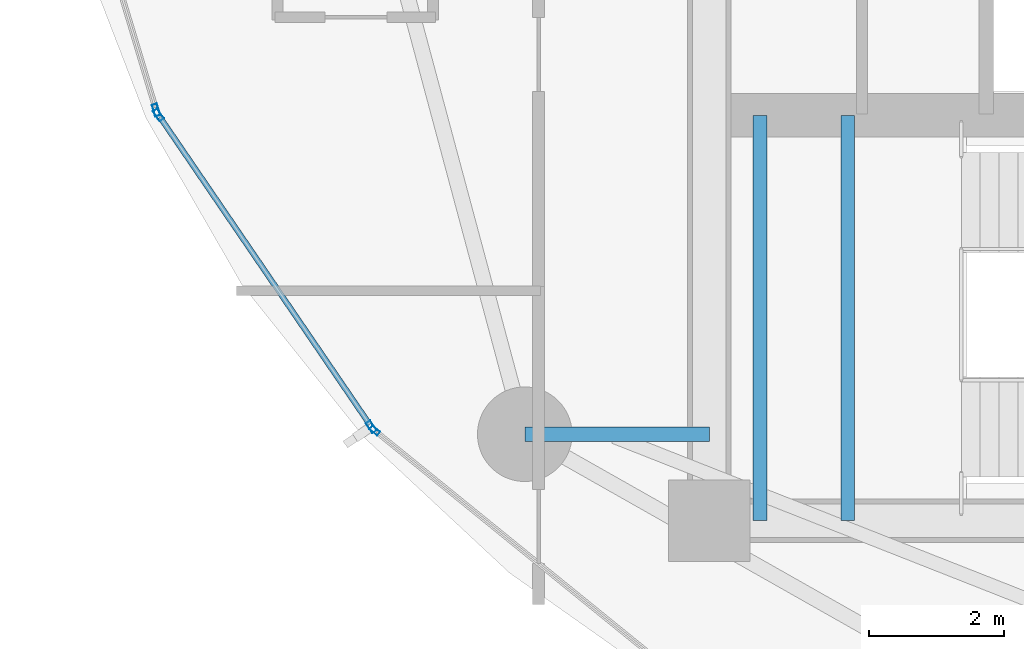
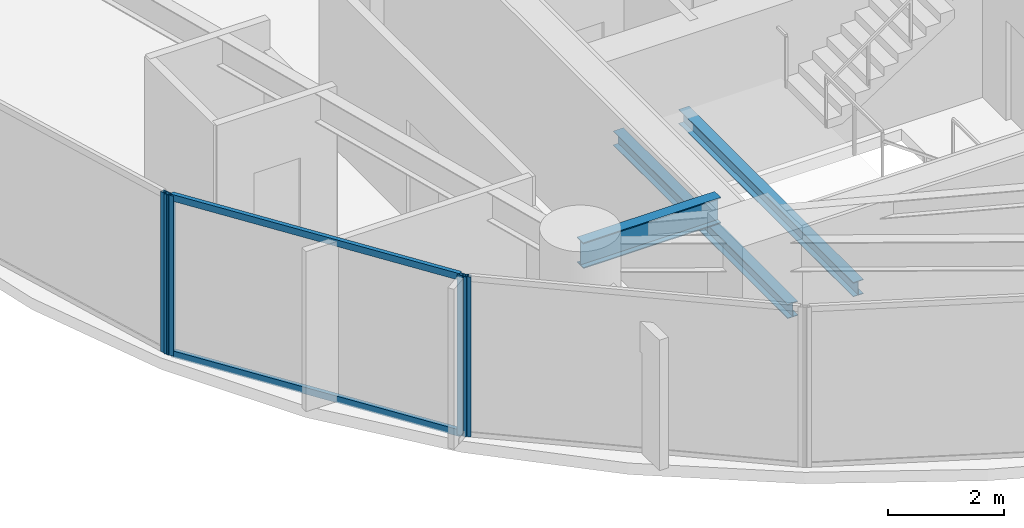
# One storey, part 3 of 31: 6 members, 3 beams, 3 elements without a shape of their own.
"""IFC4 building model written with IfcOpenShell, lengths in metres."""

import ifcopenshell
import ifcopenshell.guid

model = None  # the IFC model being written
_history = None  # IfcOwnerHistory: only IFC2X3 demands one
_inside = {}  # id of a spatial element -> (the spatial element, [elements in it])
_under = {}  # id of a project, library or spatial element -> (it, [spatial elements below it])
_declared = {}  # id of a project -> (the project, [libraries it declares])
_typed = {}  # id of a type object -> (the type object, [elements of that type])
_made_of = {}  # id of a material, layer set ... -> (it, [elements and type objects made of it])


def new_model(schema):
    """Start an empty IFC model of exactly this schema.

    Asked for "IFC4X3", IfcOpenShell would pick the latest addendum, in which some entities
    have other attributes; the version numbers below select the first issue.
    IFC2X3 requires an IfcOwnerHistory on every rooted entity: one is made here for all.
    """
    global model, _history
    if schema == "IFC4X3":
        model = ifcopenshell.file(schema_version=(4, 3, 0, 0))
    else:
        model = ifcopenshell.file(schema=schema)
    _inside.clear()
    _under.clear()
    _declared.clear()
    _typed.clear()
    _made_of.clear()
    _history = None
    if model.schema == "IFC2X3":
        org = make("IfcOrganization", Name="unknown")
        user = make(
            "IfcPersonAndOrganization",
            ThePerson=make("IfcPerson", FamilyName="unknown"),
            TheOrganization=org,
        )
        app = make(
            "IfcApplication",
            ApplicationDeveloper=org,
            Version="unknown",
            ApplicationFullName="unknown",
            ApplicationIdentifier="unknown",
        )
        _history = make(
            "IfcOwnerHistory",
            OwningUser=user,
            OwningApplication=app,
            ChangeAction="ADDED",
            CreationDate=0,
        )
    return model


def make(cls, **values):
    """One entity of the class cls with the attributes given. An attribute that is None is left unset."""
    return model.create_entity(
        cls, **{name: value for name, value in values.items() if value is not None}
    )


def rooted(cls, **values):
    """An entity with a GlobalId (a new one), such as an element, a storey or a relation."""
    return make(cls, GlobalId=ifcopenshell.guid.new(), OwnerHistory=_history, **values)


def si_unit(unit_type, name, prefix=None):
    """IfcSIUnit, for example si_unit("LENGTHUNIT", "METRE", prefix="MILLI")."""
    return make("IfcSIUnit", UnitType=unit_type, Prefix=prefix, Name=name)


def assignment(units):
    """IfcUnitAssignment: the units of a project."""
    return None if units is None else make("IfcUnitAssignment", Units=units)


def point(xyz):
    """IfcCartesianPoint."""
    return None if xyz is None else make("IfcCartesianPoint", Coordinates=xyz)


def direction(xyz):
    """IfcDirection."""
    return None if xyz is None else make("IfcDirection", DirectionRatios=xyz)


def frame(location, z_axis=None, x_axis=None):
    """IfcAxis2Placement3D, a coordinate frame: its origin and axes. An axis left out is left unset."""
    return make(
        "IfcAxis2Placement3D",
        Location=point(location),
        Axis=direction(z_axis),
        RefDirection=direction(x_axis),
    )


def frame_2d(location, x_axis=None):
    """IfcAxis2Placement2D, a coordinate frame in the plane: its origin and x axis."""
    return make(
        "IfcAxis2Placement2D", Location=point(location), RefDirection=direction(x_axis)
    )


def origin():
    """The frame at (0, 0, 0) with its axes left unset."""
    return frame((0.0, 0.0, 0.0))


def origin_2d():
    """The frame at (0, 0) in the plane with its x axis left unset."""
    return frame_2d((0.0, 0.0))


def place(relative_to, where):
    """IfcLocalPlacement: puts the frame where relative to a parent placement (None: the world)."""
    return make(
        "IfcLocalPlacement", PlacementRelTo=relative_to, RelativePlacement=where
    )


def context(
    kind, dimensions, precision=None, world=None, true_north=None, identifier=None
):
    """IfcGeometricRepresentationContext, for example the 3D "Model" context."""
    return make(
        "IfcGeometricRepresentationContext",
        ContextIdentifier=identifier,
        ContextType=kind,
        CoordinateSpaceDimension=dimensions,
        Precision=precision,
        WorldCoordinateSystem=world,
        TrueNorth=true_north,
    )


def subcontext(parent, identifier, kind, view, scale=None):
    """IfcGeometricRepresentationSubContext, for example "Body" below "Model"."""
    return make(
        "IfcGeometricRepresentationSubContext",
        ContextIdentifier=identifier,
        ContextType=kind,
        ParentContext=parent,
        TargetScale=scale,
        TargetView=view,
    )


def project(units=None, contexts=None):
    """IfcProject with its units and contexts."""
    return rooted(
        "IfcProject",
        Name="project",
        RepresentationContexts=contexts,
        UnitsInContext=assignment(units),
    )


def spatial(cls, under=None, at=None, **own):
    """A site, building, storey or space (cls), placed at a placement, below another one or the project."""
    s = rooted(cls, ObjectPlacement=at, **own)
    if under is not None:
        _under.setdefault(under.id(), (under, []))[1].append(s)
    return s


def profile(cls, at=None, kind="AREA", **sizes):
    """A parametric profile (cls). Its sizes go by their IFC names, for example OverallWidth=200.0."""
    return make(cls, ProfileType=kind, Position=at, **sizes)


def hollow_rectangle(**sizes):
    """IfcRectangleHollowProfileDef."""
    return profile("IfcRectangleHollowProfileDef", **sizes)


def i_section(**sizes):
    """IfcIShapeProfileDef."""
    return profile("IfcIShapeProfileDef", **sizes)


def extrude(swept, where, along, depth):
    """IfcExtrudedAreaSolid: the profile swept, set in the frame where, extruded along a direction by depth."""
    return make(
        "IfcExtrudedAreaSolid",
        SweptArea=swept,
        Position=where,
        ExtrudedDirection=direction(along),
        Depth=depth,
    )


def shape(context_of_items, identifier, shape_type, items):
    """IfcShapeRepresentation: the items that make up one representation, for example the "Body"."""
    return make(
        "IfcShapeRepresentation",
        ContextOfItems=context_of_items,
        RepresentationIdentifier=identifier,
        RepresentationType=shape_type,
        Items=items,
    )


def material(Name=None, Category=None):
    """IfcMaterial."""
    return make("IfcMaterial", Name=Name, Category=Category)


def layer(
    of_material, thickness, ventilated=None, Name=None, Category=None, Priority=None
):
    """IfcMaterialLayer: one layer of a wall or slab, of a material (None: an air gap)."""
    return make(
        "IfcMaterialLayer",
        Material=of_material,
        LayerThickness=thickness,
        IsVentilated=ventilated,
        Name=Name,
        Category=Category,
        Priority=Priority,
    )


def layer_set(layers, Name=None):
    """IfcMaterialLayerSet."""
    return make("IfcMaterialLayerSet", MaterialLayers=layers, LayerSetName=Name)


def material_profile(
    of_material, cross_section, Name=None, Category=None, Priority=None
):
    """IfcMaterialProfile: a cross section and its material."""
    return make(
        "IfcMaterialProfile",
        Name=Name,
        Material=of_material,
        Profile=cross_section,
        Priority=Priority,
        Category=Category,
    )


def profile_set(profiles, Name=None, composite=None):
    """IfcMaterialProfileSet."""
    return make(
        "IfcMaterialProfileSet",
        Name=Name,
        MaterialProfiles=profiles,
        CompositeProfile=composite,
    )


def made_of(thing, what):
    """Note that an element or type object is made of a material, layer set ...; save() writes the relation."""
    if what is not None:
        _made_of.setdefault(what.id(), (what, []))[1].append(thing)
    return thing


def type_object(cls, material=None, **own):
    """A type object (cls), such as IfcWallType, which elements share."""
    return made_of(rooted(cls, **own), material)


def element(
    cls,
    number,
    at=None,
    inside=None,
    cuts=None,
    type_object=None,
    material=None,
    context=None,
    identifier="Body",
    shape_type=None,
    held_by="IfcProductDefinitionShape",
    body=None,
    shapes=None,
    **own,
):
    """One element of the class cls, such as IfcWall. Its Tag is "e" and its number.

    at: its placement. inside: the storey or other place that contains it. cuts: it is an
    opening in that element (IfcRelVoidsElement). A single representation is given by context,
    identifier, shape_type and body (its items); several are given by shapes. held_by: the class
    of the entity that holds the representations. save() writes the other relations.
    """
    e = rooted(cls, Tag="e%d" % number, ObjectPlacement=at, **own)
    if body is not None:
        shapes = [shape(context, identifier, shape_type, body)]
    if shapes is not None:
        e.Representation = make(held_by, Representations=shapes)
    if inside is not None:
        _inside.setdefault(inside.id(), (inside, []))[1].append(e)
    if cuts is not None:
        rooted(
            "IfcRelVoidsElement", RelatingBuildingElement=cuts, RelatedOpeningElement=e
        )
    if type_object is not None:
        _typed.setdefault(type_object.id(), (type_object, []))[1].append(e)
    return made_of(e, material)


def aggregate(whole, parts):
    """IfcRelAggregates: a whole, such as a stair, and the parts it consists of."""
    return rooted("IfcRelAggregates", RelatingObject=whole, RelatedObjects=parts)


def save(model, path):
    """Write the relations noted so far, then the file.

    IfcRelAggregates (storeys below a building ...), IfcRelContainedInSpatialStructure (elements
    in a storey), IfcRelDefinesByType, IfcRelAssociatesMaterial and IfcRelDeclares: one each for
    every whole, place, type object, material and project.
    """
    for whole, parts in _under.values():
        aggregate(whole, parts)
    for where, things in _inside.values():
        rooted(
            "IfcRelContainedInSpatialStructure",
            RelatedElements=things,
            RelatingStructure=where,
        )
    for kind, things in _typed.values():
        rooted("IfcRelDefinesByType", RelatedObjects=things, RelatingType=kind)
    for what, things in _made_of.values():
        rooted("IfcRelAssociatesMaterial", RelatedObjects=things, RelatingMaterial=what)
    for by, libraries in _declared.values():
        rooted("IfcRelDeclares", RelatingContext=by, RelatedDefinitions=libraries)
    model.write(path)


model = new_model("IFC4")

# Units and contexts
model_context = context("Model", 3, precision=1e-05, world=origin(), true_north=direction((0.0, 1.0)))
body_context = subcontext(model_context, "Body", "Model", "MODEL_VIEW")
ifc_project = project(units=[si_unit("LENGTHUNIT", "METRE"), si_unit("AREAUNIT", "SQUARE_METRE"), si_unit("VOLUMEUNIT", "CUBIC_METRE"), si_unit("PLANEANGLEUNIT", "RADIAN"), si_unit("MASSUNIT", "GRAM", prefix="KILO")], contexts=[model_context])

# Site, building, storey
site_placement = place(None, origin())
site = spatial("IfcSite", under=ifc_project, at=site_placement, CompositionType="ELEMENT")
building_placement = place(site_placement, origin())
building = spatial("IfcBuilding", under=site, at=building_placement, Name="Kazevale Care Tower and Concert Hall", CompositionType="ELEMENT")
storey_placement = place(building_placement, frame((0.0, 0.0, 78.0)))
storey = spatial("IfcBuildingStorey", under=building, at=storey_placement, Name="L20", CompositionType="ELEMENT", Elevation=78.0)

# Curtain wall, members
ifc_material_1 = material(Name="Aluminium 6063-T6 and Low-E Glass", Category="aluminium")
ifc_layer_1 = layer(ifc_material_1, 0.179931640625)
ifc_layer_set_1 = layer_set([ifc_layer_1], Name="Aluminium 6063-T6 and Low-E Glass")
curtain_wall_type_1 = type_object("IfcCurtainWallType", Name="Waist & Upper Residential Curtain Wall CW-4", PredefinedType="NOTDEFINED", material=ifc_layer_set_1)
curtain_wall_1_placement = place(storey_placement, origin())
curtain_wall_1 = element("IfcCurtainWall", 1, at=curtain_wall_1_placement, inside=storey, type_object=curtain_wall_type_1, Name="cw:L20:f11", PredefinedType="NOTDEFINED")
ifc_material_2 = material(Name="Aluminium 6063-T6", Category="aluminium")
ifc_material_profile_1 = material_profile(ifc_material_2, hollow_rectangle(XDim=0.080078125, YDim=0.179931640625, WallThickness=0.0048828125, at=origin_2d()), Name="ALU80x180x5")
ifc_profile_set_1 = profile_set([ifc_material_profile_1], Name="Aluminium 6063-T6")
member_type_1 = type_object("IfcMemberType", Name="CW-4 Mullion ALU80x180x5", PredefinedType="MULLION", material=ifc_profile_set_1)
member_1_placement = place(storey_placement, frame((16.99853515625, 24.989990234375, 0.0), z_axis=(0.0, 0.0, 1.0), x_axis=(-0.826003329789, -0.563665236801, 0.0)))
member_1 = element("IfcMember", 2, at=member_1_placement, type_object=member_type_1, Name="CW-4 mullion 1", PredefinedType="MULLION", context=body_context, shape_type="SweptSolid", body=[
    extrude(hollow_rectangle(XDim=0.080078125, YDim=0.179931640625, WallThickness=0.0048828125, at=origin_2d()), origin(), (0.0, 0.0, 1.0), 3.360107421875),
])
member_2_placement = place(storey_placement, frame((13.8486328125, 29.60595703125, 0.0), z_axis=(0.0, 0.0, 1.0), x_axis=(-0.826003329789, -0.563665236801, 0.0)))
member_2 = element("IfcMember", 3, at=member_2_placement, type_object=member_type_1, Name="CW-4 mullion 2", PredefinedType="MULLION", context=body_context, shape_type="SweptSolid", body=[
    extrude(hollow_rectangle(XDim=0.080078125, YDim=0.179931640625, WallThickness=0.0048828125, at=origin_2d()), origin(), (0.0, 0.0, 1.0), 3.360107421875),
])

# Curtain wall, member
curtain_wall_2_placement = place(storey_placement, origin())
curtain_wall_2 = element("IfcCurtainWall", 4, at=curtain_wall_2_placement, inside=storey, type_object=curtain_wall_type_1, Name="cw:L20:f12", PredefinedType="NOTDEFINED")
member_3_placement = place(storey_placement, frame((13.814453125, 29.67724609375, 0.0), z_axis=(0.0, 0.0, 1.0), x_axis=(-0.957661755703, -0.287895747909, 0.0)))
member_3 = element("IfcMember", 5, at=member_3_placement, type_object=member_type_1, Name="CW-4 mullion 1", PredefinedType="MULLION", context=body_context, shape_type="SweptSolid", body=[
    extrude(hollow_rectangle(XDim=0.080078125, YDim=0.179931640625, WallThickness=0.0048828125, at=origin_2d()), origin(), (0.0, 0.0, 1.0), 3.360107421875),
])
aggregate(curtain_wall_2, [member_3])

# Member
ifc_material_profile_2 = material_profile(ifc_material_2, hollow_rectangle(XDim=0.080078125, YDim=0.139892578125, WallThickness=0.00390625, at=origin_2d()), Name="ALU80x140x4")
ifc_profile_set_2 = profile_set([ifc_material_profile_2], Name="Aluminium 6063-T6")
member_type_2 = type_object("IfcMemberType", Name="CW-4 Transom ALU80x140x4", PredefinedType="USERDEFINED", material=ifc_profile_set_2)
member_4_placement = place(storey_placement, frame((16.975830078125, 25.023193359375, 0.0400390625), z_axis=(-0.56365860987, 0.826007851972, 0.0), x_axis=(-0.826007851972, -0.56365860987, 0.0)))
member_4 = element("IfcMember", 6, at=member_4_placement, type_object=member_type_2, Name="CW-4 transom 1.1", ObjectType="TRANSOM", PredefinedType="USERDEFINED", context=body_context, shape_type="SweptSolid", body=[
    extrude(hollow_rectangle(XDim=0.080078125, YDim=0.139892578125, WallThickness=0.00390625, at=origin_2d()), origin(), (0.0, 0.0, 1.0), 5.50830078125),
])

member_5_placement = place(storey_placement, frame((16.975830078125, 25.023193359375, 3.320068359375), z_axis=(-0.56365860987, 0.826007851972, 0.0), x_axis=(-0.826007851972, -0.56365860987, 0.0)))
member_5 = element("IfcMember", 7, at=member_5_placement, type_object=member_type_2, Name="CW-4 transom 1.2", ObjectType="TRANSOM", PredefinedType="USERDEFINED", context=body_context, shape_type="SweptSolid", body=[
    extrude(hollow_rectangle(XDim=0.080078125, YDim=0.139892578125, WallThickness=0.00390625, at=origin_2d()), origin(), (0.0, 0.0, 1.0), 5.50830078125),
])

aggregate(curtain_wall_1, [member_1, member_2, member_4, member_5])

# Curtain wall, member
ifc_layer_2 = layer(ifc_material_1, 0.179931640625)
ifc_layer_set_2 = layer_set([ifc_layer_2], Name="Aluminium 6063-T6 and Low-E Glass")
curtain_wall_type_2 = type_object("IfcCurtainWallType", Name="Sheltered Concave Balcony Curtain Wall CW-5", PredefinedType="NOTDEFINED", material=ifc_layer_set_2)
curtain_wall_3_placement = place(storey_placement, origin())
curtain_wall_3 = element("IfcCurtainWall", 8, at=curtain_wall_3_placement, inside=storey, type_object=curtain_wall_type_2, Name="cw:L20:f10", PredefinedType="NOTDEFINED")
ifc_material_profile_3 = material_profile(ifc_material_2, hollow_rectangle(XDim=0.074951171875, YDim=0.14990234375, WallThickness=0.00390625, at=origin_2d()), Name="ALU75x150x4")
ifc_profile_set_3 = profile_set([ifc_material_profile_3], Name="Aluminium 6063-T6")
member_type_3 = type_object("IfcMemberType", Name="CW-5 Mullion ALU75x150x4", PredefinedType="MULLION", material=ifc_profile_set_3)
member_6_placement = place(storey_placement, frame((17.050048828125, 24.933349609375, 0.0), z_axis=(0.0, 0.0, 1.0), x_axis=(-0.629994732952, -0.77659940539, 0.0)))
member_6 = element("IfcMember", 9, at=member_6_placement, type_object=member_type_3, Name="CW-5 mullion 2", PredefinedType="MULLION", context=body_context, shape_type="SweptSolid", body=[
    extrude(hollow_rectangle(XDim=0.074951171875, YDim=0.14990234375, WallThickness=0.00390625, at=origin_2d()), origin(), (0.0, 0.0, 1.0), 3.360107421875),
])
aggregate(curtain_wall_3, [member_6])

# Beams
ifc_material_3 = material(Name="Steel ASTM A572 Gr 50", Category="steel")
ifc_material_profile_4 = material_profile(ifc_material_3, i_section(OverallWidth=0.2119140625, OverallDepth=0.5439453125, WebThickness=0.01318359375, FlangeThickness=0.021240234375, at=origin_2d()), Name="W530x123")
ifc_profile_set_4 = profile_set([ifc_material_profile_4], Name="Steel ASTM A572 Gr 50")
beam_type_1 = type_object("IfcBeamType", Name="Radial Floor Girder W530x123", PredefinedType="BEAM", material=ifc_profile_set_4)
beam_placement = place(storey_placement, frame((22.0, 24.8798828125, 3.087890625), z_axis=(-1.0, 0.0, 0.0), x_axis=(0.0, -1.0, 0.0)))
element("IfcBeam", 10, at=beam_placement, inside=storey, type_object=beam_type_1, Name="beam:L20:rad:10", PredefinedType="BEAM", context=body_context, shape_type="SweptSolid", body=[
    extrude(i_section(OverallWidth=0.2119140625, OverallDepth=0.5439453125, WebThickness=0.01318359375, FlangeThickness=0.021240234375, at=origin_2d()), origin(), (0.0, 0.0, 1.0), 2.72998046875),
])
ifc_material_profile_5 = material_profile(ifc_material_3, i_section(OverallWidth=0.202880859375, OverallDepth=0.302978515625, WebThickness=0.007568359375, FlangeThickness=0.01318359375, at=origin_2d()), Name="W310x60")
ifc_profile_set_5 = profile_set([ifc_material_profile_5], Name="Steel ASTM A572 Gr 50")
beam_type_2 = type_object("IfcBeamType", Name="Stair & Balcony Trimmer W310x60", PredefinedType="BEAM", material=ifc_profile_set_5)
for number, where, z_axis, x_axis, name in (
    (11, (22.75, 23.60009765625, 1.448486328125), (0.0, 1.0, 0.0), (-1.0, 0.0, 0.0), "beam:L20:sttrim:ST1"),
    (12, (24.050048828125, 23.60009765625, 1.448486328125), (0.0, 1.0, 0.0), (-1.0, 0.0, 0.0), "beam:L20:sttrim:ST1b"),
):
    element("IfcBeam", number, at=place(storey_placement, frame(where, z_axis=z_axis, x_axis=x_axis)), inside=storey, type_object=beam_type_2, Name=name, PredefinedType="BEAM", context=body_context, shape_type="SweptSolid", body=[
        extrude(i_section(OverallWidth=0.202880859375, OverallDepth=0.302978515625, WebThickness=0.007568359375, FlangeThickness=0.01318359375, at=origin_2d()), origin(), (0.0, 0.0, 1.0), 6.0),
    ])

save(model, "model.ifc")
